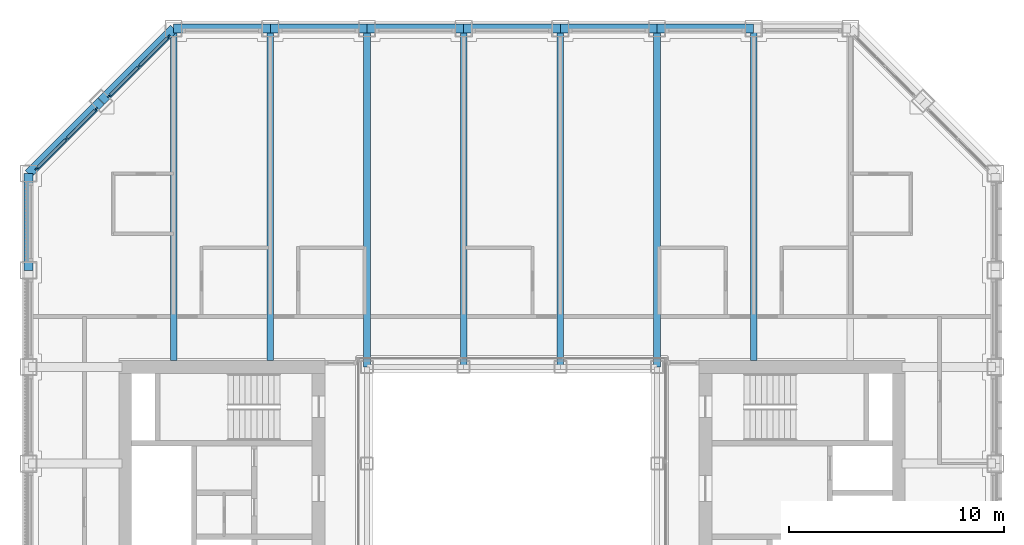
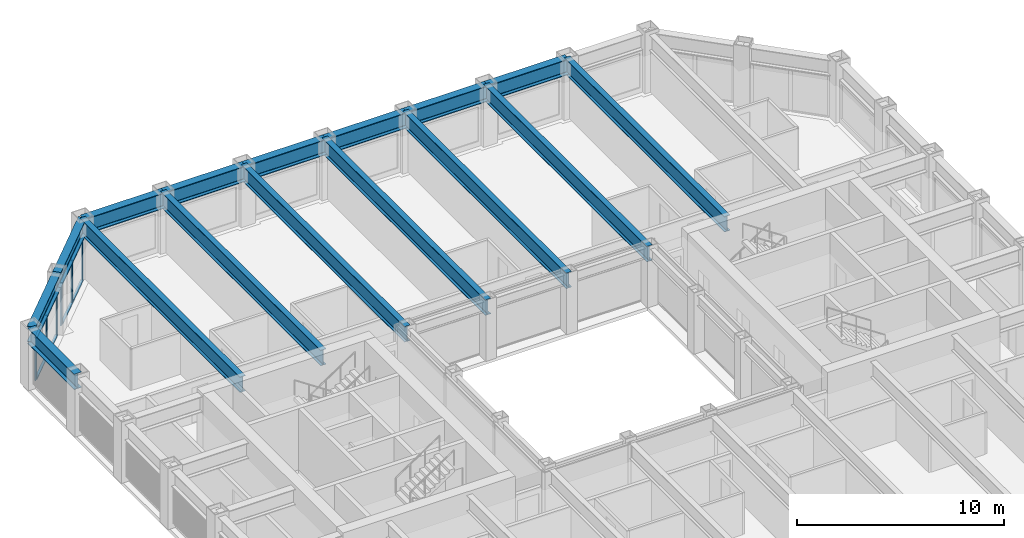
# One storey, part 7 of 17: 16 beams, 14 members, 2 elements without a shape of their own.
"""IFC4 building model written with IfcOpenShell, lengths in metres."""

from ifc_helpers import new_model, si_unit, direction, frame, origin, origin_2d, place, context, subcontext, project, spatial, rectangle, i_section, extrude, material, material_profile, profile_set, type_object, element, aggregate, save


model = new_model("IFC4")

# Units and contexts
model_context = context("Model", 3, precision=1e-05, world=origin(), true_north=direction((0.0, 1.0)))
body_context = subcontext(model_context, "Body", "Model", "MODEL_VIEW")
ifc_project = project(units=[si_unit("LENGTHUNIT", "METRE"), si_unit("AREAUNIT", "SQUARE_METRE"), si_unit("VOLUMEUNIT", "CUBIC_METRE"), si_unit("PLANEANGLEUNIT", "RADIAN"), si_unit("MASSUNIT", "GRAM", prefix="KILO")], contexts=[model_context])

# Site, building, storey
site_placement = place(None, origin())
site = spatial("IfcSite", under=ifc_project, at=site_placement, CompositionType="ELEMENT")
building_placement = place(site_placement, origin())
building = spatial("IfcBuilding", under=site, at=building_placement, Name="Msasa Ring Tower", CompositionType="ELEMENT")
storey_placement = place(building_placement, frame((0.0, 0.0, 150.800048828125)))
storey = spatial("IfcBuildingStorey", under=building, at=storey_placement, Name="L39", CompositionType="ELEMENT", Elevation=150.800048828125)

# Curtain wall, members
ifc_material_1 = material(Name="Aluminium curtain wall with clear glass", Category="aluminium")
curtain_wall_type = type_object("IfcCurtainWallType", Name="CW-C CHAMFER CORNER CURTAIN WALL", PredefinedType="NOTDEFINED", material=ifc_material_1)
curtain_wall_1_placement = place(storey_placement, origin())
curtain_wall_1 = element("IfcCurtainWall", 1, at=curtain_wall_1_placement, inside=storey, type_object=curtain_wall_type, Name="Chamfer corner curtain wall NW L39", PredefinedType="NOTDEFINED")
ifc_material_2 = material(Name="Aluminium mullion", Category="aluminium")
ifc_material_profile_1 = material_profile(ifc_material_2, rectangle(XDim=0.06494140625, YDim=0.179931640625, at=origin_2d()), Name="AL 65x180")
ifc_profile_set_1 = profile_set([ifc_material_profile_1], Name="Aluminium mullion")
member_type_1 = type_object("IfcMemberType", Name="CW-C MULLION 65x180", PredefinedType="MULLION", material=ifc_profile_set_1)
member_1_placement = place(storey_placement, frame((-19.36376953125, 18.744873046875, 0.0), z_axis=(0.0, 0.0, 1.0), x_axis=(0.707106781187, -0.707106781187, 0.0)))
member_1 = element("IfcMember", 2, at=member_1_placement, type_object=member_type_1, Name="CW-C mullion 1", PredefinedType="MULLION", context=body_context, shape_type="SweptSolid", body=[
    extrude(rectangle(XDim=0.06494140625, YDim=0.179931640625, at=origin_2d()), origin(), (0.0, 0.0, 1.0), 2.47900390625),
])
member_2_placement = place(storey_placement, frame((-20.74169921875, 17.36669921875, 0.0), z_axis=(0.0, 0.0, 1.0), x_axis=(0.707106781187, -0.707106781187, 0.0)))
member_2 = element("IfcMember", 3, at=member_2_placement, type_object=member_type_1, Name="CW-C mullion 2", PredefinedType="MULLION", context=body_context, shape_type="SweptSolid", body=[
    extrude(rectangle(XDim=0.06494140625, YDim=0.179931640625, at=origin_2d()), origin(), (0.0, 0.0, 1.0), 2.47900390625),
])
member_3_placement = place(storey_placement, frame((-22.119873046875, 15.98876953125, 0.0), z_axis=(0.0, 0.0, 1.0), x_axis=(0.707106781187, -0.707106781187, 0.0)))
member_3 = element("IfcMember", 4, at=member_3_placement, type_object=member_type_1, Name="CW-C mullion 3", PredefinedType="MULLION", context=body_context, shape_type="SweptSolid", body=[
    extrude(rectangle(XDim=0.06494140625, YDim=0.179931640625, at=origin_2d()), origin(), (0.0, 0.0, 1.0), 2.47900390625),
])

curtain_wall_2_placement = place(storey_placement, origin())
curtain_wall_2 = element("IfcCurtainWall", 5, at=curtain_wall_2_placement, inside=storey, type_object=curtain_wall_type, Name="Chamfer corner curtain wall NW L39", PredefinedType="NOTDEFINED")
member_4_placement = place(storey_placement, frame((-15.98876953125, 22.119873046875, 0.0), z_axis=(0.0, 0.0, 1.0), x_axis=(0.707106781187, -0.707106781187, 0.0)))
member_4 = element("IfcMember", 6, at=member_4_placement, type_object=member_type_1, Name="CW-C mullion 1", PredefinedType="MULLION", context=body_context, shape_type="SweptSolid", body=[
    extrude(rectangle(XDim=0.06494140625, YDim=0.179931640625, at=origin_2d()), origin(), (0.0, 0.0, 1.0), 2.47900390625),
])
member_5_placement = place(storey_placement, frame((-17.36669921875, 20.74169921875, 0.0), z_axis=(0.0, 0.0, 1.0), x_axis=(0.707106781187, -0.707106781187, 0.0)))
member_5 = element("IfcMember", 7, at=member_5_placement, type_object=member_type_1, Name="CW-C mullion 2", PredefinedType="MULLION", context=body_context, shape_type="SweptSolid", body=[
    extrude(rectangle(XDim=0.06494140625, YDim=0.179931640625, at=origin_2d()), origin(), (0.0, 0.0, 1.0), 2.47900390625),
])
member_6_placement = place(storey_placement, frame((-18.744873046875, 19.36376953125, 0.0), z_axis=(0.0, 0.0, 1.0), x_axis=(0.707106781187, -0.707106781187, 0.0)))
member_6 = element("IfcMember", 8, at=member_6_placement, type_object=member_type_1, Name="CW-C mullion 3", PredefinedType="MULLION", context=body_context, shape_type="SweptSolid", body=[
    extrude(rectangle(XDim=0.06494140625, YDim=0.179931640625, at=origin_2d()), origin(), (0.0, 0.0, 1.0), 2.47900390625),
])

# Member
ifc_material_3 = material(Name="Aluminium transom", Category="aluminium")
ifc_material_profile_2 = material_profile(ifc_material_3, rectangle(XDim=0.139892578125, YDim=0.06494140625, at=origin_2d()), Name="AL 65x140")
ifc_profile_set_2 = profile_set([ifc_material_profile_2], Name="Aluminium transom")
member_type_2 = type_object("IfcMemberType", Name="CW-C TRANSOM 65x140", PredefinedType="USERDEFINED", material=ifc_profile_set_2)
member_7_placement = place(storey_placement, frame((-19.38671875, 18.721923828125, 0.032470703125), z_axis=(-0.707106781187, -0.707106781187, 0.0), x_axis=(0.707106781187, -0.707106781187, 0.0)))
member_7 = element("IfcMember", 9, at=member_7_placement, type_object=member_type_2, Name="CW-C transom 1.1", ObjectType="TRANSOM", PredefinedType="USERDEFINED", context=body_context, shape_type="SweptSolid", body=[
    extrude(rectangle(XDim=0.139892578125, YDim=0.06494140625, at=origin_2d()), origin(), (0.0, 0.0, 1.0), 1.8837890625),
])

member_8_placement = place(storey_placement, frame((-19.38671875, 18.721923828125, 2.446533203125), z_axis=(-0.707106781187, -0.707106781187, 0.0), x_axis=(0.707106781187, -0.707106781187, 0.0)))
member_8 = element("IfcMember", 10, at=member_8_placement, type_object=member_type_2, Name="CW-C transom 1.2", ObjectType="TRANSOM", PredefinedType="USERDEFINED", context=body_context, shape_type="SweptSolid", body=[
    extrude(rectangle(XDim=0.139892578125, YDim=0.06494140625, at=origin_2d()), origin(), (0.0, 0.0, 1.0), 1.8837890625),
])

member_9_placement = place(storey_placement, frame((-20.764892578125, 17.34375, 0.032470703125), z_axis=(-0.707106781187, -0.707106781187, 0.0), x_axis=(0.707106781187, -0.707106781187, 0.0)))
member_9 = element("IfcMember", 11, at=member_9_placement, type_object=member_type_2, Name="CW-C transom 2.1", ObjectType="TRANSOM", PredefinedType="USERDEFINED", context=body_context, shape_type="SweptSolid", body=[
    extrude(rectangle(XDim=0.139892578125, YDim=0.06494140625, at=origin_2d()), origin(), (0.0, 0.0, 1.0), 1.8837890625),
])

member_10_placement = place(storey_placement, frame((-20.764892578125, 17.34375, 2.446533203125), z_axis=(-0.707106781187, -0.707106781187, 0.0), x_axis=(0.707106781187, -0.707106781187, 0.0)))
member_10 = element("IfcMember", 12, at=member_10_placement, type_object=member_type_2, Name="CW-C transom 2.2", ObjectType="TRANSOM", PredefinedType="USERDEFINED", context=body_context, shape_type="SweptSolid", body=[
    extrude(rectangle(XDim=0.139892578125, YDim=0.06494140625, at=origin_2d()), origin(), (0.0, 0.0, 1.0), 1.8837890625),
])

aggregate(curtain_wall_1, [member_1, member_2, member_3, member_7, member_8, member_9, member_10])

member_11_placement = place(storey_placement, frame((-16.01171875, 22.096923828125, 0.032470703125), z_axis=(-0.707106781187, -0.707106781187, 0.0), x_axis=(0.707106781187, -0.707106781187, 0.0)))
member_11 = element("IfcMember", 13, at=member_11_placement, type_object=member_type_2, Name="CW-C transom 1.1", ObjectType="TRANSOM", PredefinedType="USERDEFINED", context=body_context, shape_type="SweptSolid", body=[
    extrude(rectangle(XDim=0.139892578125, YDim=0.06494140625, at=origin_2d()), origin(), (0.0, 0.0, 1.0), 1.8837890625),
])

member_12_placement = place(storey_placement, frame((-16.01171875, 22.096923828125, 2.446533203125), z_axis=(-0.707106781187, -0.707106781187, 0.0), x_axis=(0.707106781187, -0.707106781187, 0.0)))
member_12 = element("IfcMember", 14, at=member_12_placement, type_object=member_type_2, Name="CW-C transom 1.2", ObjectType="TRANSOM", PredefinedType="USERDEFINED", context=body_context, shape_type="SweptSolid", body=[
    extrude(rectangle(XDim=0.139892578125, YDim=0.06494140625, at=origin_2d()), origin(), (0.0, 0.0, 1.0), 1.8837890625),
])

member_13_placement = place(storey_placement, frame((-17.389892578125, 20.71875, 0.032470703125), z_axis=(-0.707106781187, -0.707106781187, 0.0), x_axis=(0.707106781187, -0.707106781187, 0.0)))
member_13 = element("IfcMember", 15, at=member_13_placement, type_object=member_type_2, Name="CW-C transom 2.1", ObjectType="TRANSOM", PredefinedType="USERDEFINED", context=body_context, shape_type="SweptSolid", body=[
    extrude(rectangle(XDim=0.139892578125, YDim=0.06494140625, at=origin_2d()), origin(), (0.0, 0.0, 1.0), 1.8837890625),
])

member_14_placement = place(storey_placement, frame((-17.389892578125, 20.71875, 2.446533203125), z_axis=(-0.707106781187, -0.707106781187, 0.0), x_axis=(0.707106781187, -0.707106781187, 0.0)))
member_14 = element("IfcMember", 16, at=member_14_placement, type_object=member_type_2, Name="CW-C transom 2.2", ObjectType="TRANSOM", PredefinedType="USERDEFINED", context=body_context, shape_type="SweptSolid", body=[
    extrude(rectangle(XDim=0.139892578125, YDim=0.06494140625, at=origin_2d()), origin(), (0.0, 0.0, 1.0), 1.8837890625),
])

aggregate(curtain_wall_2, [member_4, member_5, member_6, member_11, member_12, member_13, member_14])

# Beams
ifc_material_4 = material(Name="Steel S355", Category="steel")
ifc_material_profile_3 = material_profile(ifc_material_4, i_section(OverallWidth=0.3076171875, OverallDepth=0.926513671875, WebThickness=0.01953125, FlangeThickness=0.031982421875, FilletRadius=0.01904296875, at=origin_2d()), Name="UB 914x305x289")
ifc_profile_set_3 = profile_set([ifc_material_profile_3], Name="Steel S355")
beam_type_1 = type_object("IfcBeamType", Name="FB3 UB 914x305x289", PredefinedType="BEAM", material=ifc_profile_set_3)
for number, where, z_axis, x_axis, name in (
    (17, (-15.75, 22.5, 2.936767578125), (0.0, -1.0, 0.0), (1.0, 0.0, 0.0), "Floor beam N-15.75 under L40"),
    (18, (-11.25, 22.5, 2.936767578125), (0.0, -1.0, 0.0), (1.0, 0.0, 0.0), "Floor beam N-11.25 under L40"),
):
    element("IfcBeam", number, at=place(storey_placement, frame(where, z_axis=z_axis, x_axis=x_axis)), inside=storey, type_object=beam_type_1, Name=name, PredefinedType="BEAM", context=body_context, shape_type="SweptSolid", body=[
        extrude(i_section(OverallWidth=0.3076171875, OverallDepth=0.926513671875, WebThickness=0.01953125, FlangeThickness=0.031982421875, FilletRadius=0.01904296875, at=origin_2d()), origin(), (0.0, 0.0, 1.0), 15.449951171875),
    ])
for number, where, z_axis, x_axis, name in (
    (19, (-6.75, 22.5, 2.936767578125), (0.0, -1.0, 0.0), (1.0, 0.0, 0.0), "Floor beam N-6.75 under L40"),
    (20, (-2.25, 22.5, 2.936767578125), (0.0, -1.0, 0.0), (1.0, 0.0, 0.0), "Floor beam N-2.25 under L40"),
    (21, (2.25, 22.5, 2.936767578125), (0.0, -1.0, 0.0), (1.0, 0.0, 0.0), "Floor beam N+2.25 under L40"),
    (22, (6.75, 22.5, 2.936767578125), (0.0, -1.0, 0.0), (1.0, 0.0, 0.0), "Floor beam N+6.75 under L40"),
):
    element("IfcBeam", number, at=place(storey_placement, frame(where, z_axis=z_axis, x_axis=x_axis)), inside=storey, type_object=beam_type_1, Name=name, PredefinedType="BEAM", context=body_context, shape_type="SweptSolid", body=[
        extrude(i_section(OverallWidth=0.3076171875, OverallDepth=0.926513671875, WebThickness=0.01953125, FlangeThickness=0.031982421875, FilletRadius=0.01904296875, at=origin_2d()), origin(), (0.0, 0.0, 1.0), 15.75),
    ])
beam_1_placement = place(storey_placement, frame((11.25, 22.5, 2.936767578125), z_axis=(0.0, -1.0, 0.0), x_axis=(1.0, 0.0, 0.0)))
element("IfcBeam", 23, at=beam_1_placement, inside=storey, type_object=beam_type_1, Name="Floor beam N+11.25 under L40", PredefinedType="BEAM", context=body_context, shape_type="SweptSolid", body=[
    extrude(i_section(OverallWidth=0.3076171875, OverallDepth=0.926513671875, WebThickness=0.01953125, FlangeThickness=0.031982421875, FilletRadius=0.01904296875, at=origin_2d()), origin(), (0.0, 0.0, 1.0), 15.449951171875),
])
ifc_material_5 = material(Name="Steel S355", Category="steel")
ifc_material_profile_4 = material_profile(ifc_material_5, i_section(OverallWidth=0.42041015625, OverallDepth=0.9208984375, WebThickness=0.021484375, FlangeThickness=0.03662109375, FilletRadius=0.024169921875, at=origin_2d()), Name="UB 914x419x388")
ifc_profile_set_4 = profile_set([ifc_material_profile_4], Name="Steel S355")
beam_type_2 = type_object("IfcBeamType", Name="SB1 UB 914x419x388", PredefinedType="SPANDREL", material=ifc_profile_set_4)
for number, where, z_axis, x_axis, name in (
    (24, (11.25, 22.5, 2.939453125), (-1.0, 0.0, 0.0), (0.0, -1.0, 0.0), "Spandrel N+11.25 to N+6.75 under L40"),
    (25, (6.75, 22.5, 2.939453125), (-1.0, 0.0, 0.0), (0.0, -1.0, 0.0), "Spandrel N+6.75 to N+2.25 under L40"),
    (26, (2.25, 22.5, 2.939453125), (-1.0, 0.0, 0.0), (0.0, -1.0, 0.0), "Spandrel N+2.25 to N-2.25 under L40"),
    (27, (-2.25, 22.5, 2.939453125), (-1.0, 0.0, 0.0), (0.0, -1.0, 0.0), "Spandrel N-2.25 to N-6.75 under L40"),
    (28, (-6.75, 22.5, 2.939453125), (-1.0, 0.0, 0.0), (0.0, -1.0, 0.0), "Spandrel N-6.75 to N-11.25 under L40"),
    (29, (-11.25, 22.5, 2.939453125), (-1.0, 0.0, 0.0), (0.0, -1.0, 0.0), "Spandrel N-11.25 to N-15.75 under L40"),
):
    element("IfcBeam", number, at=place(storey_placement, frame(where, z_axis=z_axis, x_axis=x_axis)), inside=storey, type_object=beam_type_2, Name=name, PredefinedType="SPANDREL", context=body_context, shape_type="SweptSolid", body=[
        extrude(i_section(OverallWidth=0.42041015625, OverallDepth=0.9208984375, WebThickness=0.021484375, FlangeThickness=0.03662109375, FilletRadius=0.024169921875, at=origin_2d()), origin(), (0.0, 0.0, 1.0), 4.5),
    ])
for number, where, z_axis, x_axis, name in (
    (30, (-15.75, 22.5, 2.939453125), (-0.707106781187, -0.707106781187, 0.0), (0.707106781187, -0.707106781187, 0.0), "Spandrel N-15.75 to NW under L40"),
    (31, (-19.125, 19.125, 2.939453125), (-0.707106781187, -0.707106781187, 0.0), (0.707106781187, -0.707106781187, 0.0), "Spandrel NW to W+15.75 under L40"),
):
    element("IfcBeam", number, at=place(storey_placement, frame(where, z_axis=z_axis, x_axis=x_axis)), inside=storey, type_object=beam_type_2, Name=name, PredefinedType="SPANDREL", context=body_context, shape_type="SweptSolid", body=[
        extrude(i_section(OverallWidth=0.42041015625, OverallDepth=0.9208984375, WebThickness=0.021484375, FlangeThickness=0.03662109375, FilletRadius=0.024169921875, at=origin_2d()), origin(), (0.0, 0.0, 1.0), 4.77294921875),
    ])
beam_2_placement = place(storey_placement, frame((-22.5, 15.75, 2.939453125), z_axis=(0.0, -1.0, 0.0), x_axis=(1.0, 0.0, 0.0)))
element("IfcBeam", 32, at=beam_2_placement, inside=storey, type_object=beam_type_2, Name="Spandrel W+15.75 to W+11.25 under L40", PredefinedType="SPANDREL", context=body_context, shape_type="SweptSolid", body=[
    extrude(i_section(OverallWidth=0.42041015625, OverallDepth=0.9208984375, WebThickness=0.021484375, FlangeThickness=0.03662109375, FilletRadius=0.024169921875, at=origin_2d()), origin(), (0.0, 0.0, 1.0), 4.5),
])

save(model, "model.ifc")
